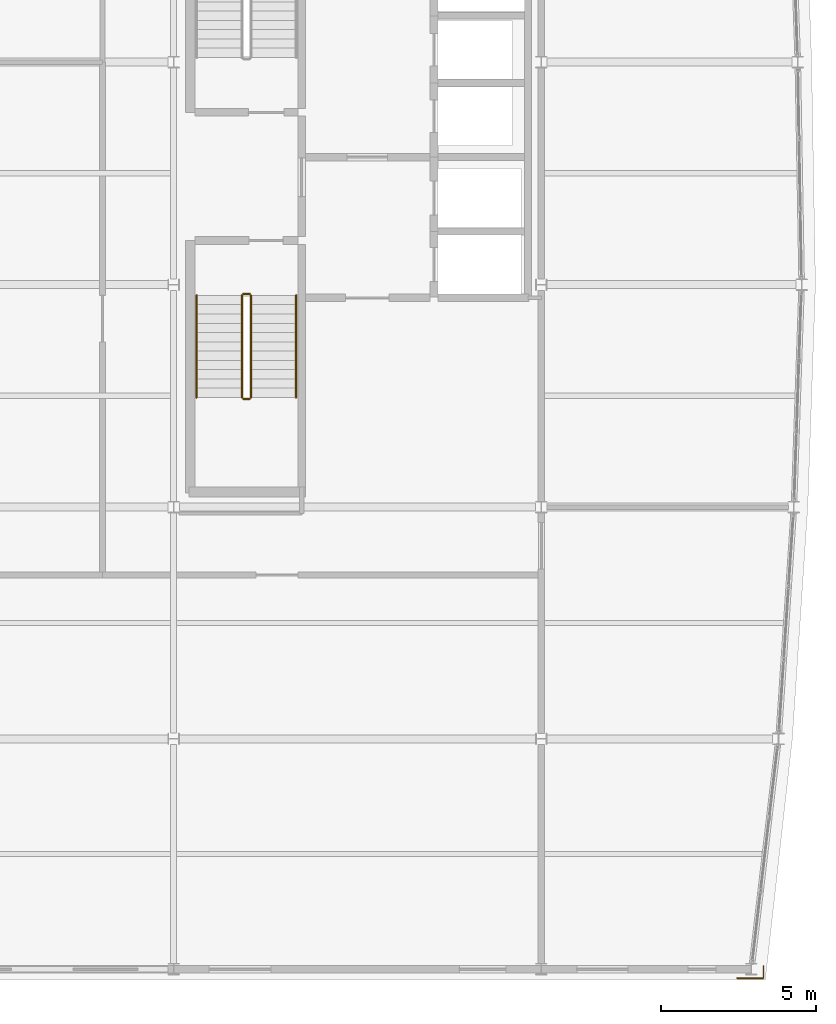
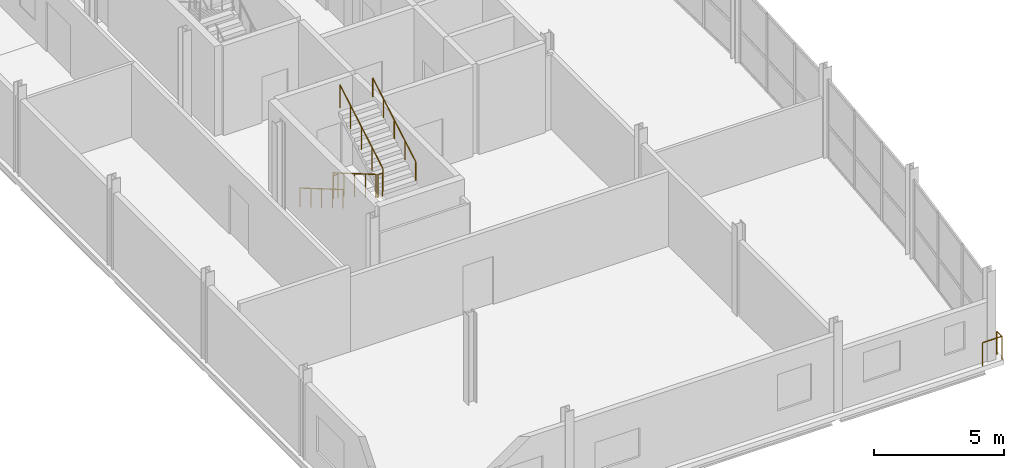
# One storey, part 18 of 20: 7 railings.
"""IFC4 building model written with IfcOpenShell, lengths in metres."""

from ifc_helpers import new_model, si_unit, direction, frame, origin, origin_2d, place, context, subcontext, project, spatial, circle, extrude, material, type_object, element, save


model = new_model("IFC4")

# Units and contexts
model_context = context("Model", 3, precision=1e-05, world=origin(), true_north=direction((0.0, 1.0)))
body_context = subcontext(model_context, "Body", "Model", "MODEL_VIEW")
ifc_project = project(units=[si_unit("LENGTHUNIT", "METRE"), si_unit("AREAUNIT", "SQUARE_METRE"), si_unit("VOLUMEUNIT", "CUBIC_METRE"), si_unit("PLANEANGLEUNIT", "RADIAN"), si_unit("MASSUNIT", "GRAM", prefix="KILO")], contexts=[model_context])

# Site, building, storey
site_placement = place(None, origin())
site = spatial("IfcSite", under=ifc_project, at=site_placement, CompositionType="ELEMENT")
building_placement = place(site_placement, origin())
building = spatial("IfcBuilding", under=site, at=building_placement, Name="Quillay Park Conservatory", CompositionType="ELEMENT")
storey_placement = place(building_placement, frame((0.0, 0.0, 30.89990234375)))
storey = spatial("IfcBuildingStorey", under=building, at=storey_placement, Name="L07", CompositionType="ELEMENT", Elevation=30.89990234375)

# Railings
ifc_material_1 = material(Name="Steel S355J2H", Category="steel")
railing_type_1 = type_object("IfcRailingType", Name="STAIR WALL HANDRAIL 900", PredefinedType="HANDRAIL", material=ifc_material_1)
railing_1_placement = place(storey_placement, frame((8.60009765625, 84.85009765625, 0.175048828125)))
element("IfcRailing", 1, at=railing_1_placement, inside=storey, type_object=railing_type_1, Name="L07 ST-T2 stair handrail 1", PredefinedType="HANDRAIL", context=body_context, shape_type="SweptSolid", body=[
    extrude(circle(Radius=0.02392578125, at=origin_2d()), frame((0.0, 0.0, 0.8759765625), z_axis=(0.0, -0.863776583165, 0.503874998761), x_axis=(1.0, 0.0, 0.0)), (0.0, 0.0, 1.0), 3.820556640625),
    extrude(circle(Radius=0.02099609375, at=origin_2d()), origin(), (0.0, 0.0, 1.0), 0.851806640625),
    extrude(circle(Radius=0.02099609375, at=origin_2d()), frame((0.0, -0.824951171875, 0.481201171875)), (0.0, 0.0, 1.0), 0.851806640625),
    extrude(circle(Radius=0.02099609375, at=origin_2d()), frame((0.0, -1.64990234375, 0.96240234375)), (0.0, 0.0, 1.0), 0.851806640625),
    extrude(circle(Radius=0.02099609375, at=origin_2d()), frame((0.0, -2.47509765625, 1.44384765625)), (0.0, 0.0, 1.0), 0.851806640625),
    extrude(circle(Radius=0.02099609375, at=origin_2d()), frame((0.0, -3.300048828125, 1.925048828125)), (0.0, 0.0, 1.0), 0.851806640625),
])
railing_2_placement = place(storey_placement, frame((11.820068359375, 81.550048828125, 2.275146484375)))
element("IfcRailing", 2, at=railing_2_placement, inside=storey, type_object=railing_type_1, Name="L07 ST-T2 stair handrail 2", PredefinedType="HANDRAIL", context=body_context, shape_type="SweptSolid", body=[
    extrude(circle(Radius=0.02392578125, at=origin_2d()), frame((0.0, 0.0, 0.8759765625), z_axis=(0.0, 0.863776583165, 0.503874998761), x_axis=(-1.0, 0.0, 0.0)), (0.0, 0.0, 1.0), 3.820556640625),
    extrude(circle(Radius=0.02099609375, at=origin_2d()), origin(), (0.0, 0.0, 1.0), 0.851806640625),
    extrude(circle(Radius=0.02099609375, at=origin_2d()), frame((0.0, 0.824951171875, 0.481201171875)), (0.0, 0.0, 1.0), 0.851806640625),
    extrude(circle(Radius=0.02099609375, at=origin_2d()), frame((0.0, 1.64990234375, 0.96240234375)), (0.0, 0.0, 1.0), 0.851806640625),
    extrude(circle(Radius=0.02099609375, at=origin_2d()), frame((0.0, 2.47509765625, 1.44384765625)), (0.0, 0.0, 1.0), 0.851806640625),
    extrude(circle(Radius=0.02099609375, at=origin_2d()), frame((0.0, 3.300048828125, 1.925048828125)), (0.0, 0.0, 1.0), 0.851806640625),
])
ifc_material_2 = material(Name="Steel S355J2H", Category="steel")
railing_type_2 = type_object("IfcRailingType", Name="STAIR WELL GUARDRAIL 1100", PredefinedType="GUARDRAIL", material=ifc_material_2)
railing_3_placement = place(storey_placement, frame((10.06005859375, 84.85009765625, 0.175048828125)))
element("IfcRailing", 3, at=railing_3_placement, inside=storey, type_object=railing_type_2, Name="L07 ST-T2 stair guard 1", PredefinedType="GUARDRAIL", context=body_context, shape_type="SweptSolid", body=[
    extrude(circle(Radius=0.02392578125, at=origin_2d()), frame((0.0, 0.0, 1.076171875), z_axis=(0.0, -0.863776583165, 0.503874998761), x_axis=(1.0, 0.0, 0.0)), (0.0, 0.0, 1.0), 3.820556640625),
    extrude(circle(Radius=0.02099609375, at=origin_2d()), origin(), (0.0, 0.0, 1.0), 1.052001953125),
    extrude(circle(Radius=0.02099609375, at=origin_2d()), frame((0.0, -0.824951171875, 0.481201171875)), (0.0, 0.0, 1.0), 1.052001953125),
    extrude(circle(Radius=0.02099609375, at=origin_2d()), frame((0.0, -1.64990234375, 0.96240234375)), (0.0, 0.0, 1.0), 1.052001953125),
    extrude(circle(Radius=0.02099609375, at=origin_2d()), frame((0.0, -2.47509765625, 1.44384765625)), (0.0, 0.0, 1.0), 1.052001953125),
    extrude(circle(Radius=0.02099609375, at=origin_2d()), frame((0.0, -3.300048828125, 1.925048828125)), (0.0, 0.0, 1.0), 1.052001953125),
])
railing_4_placement = place(storey_placement, frame((10.110107421875, 81.5, 2.10009765625)))
element("IfcRailing", 4, at=railing_4_placement, inside=storey, type_object=railing_type_2, Name="L07 ST-T2 stair guard 2", PredefinedType="GUARDRAIL", context=body_context, shape_type="SweptSolid", body=[
    extrude(circle(Radius=0.02392578125, at=origin_2d()), frame((0.0, 0.0, 1.076171875), z_axis=(1.0, 0.0, 0.0), x_axis=(0.0, 1.0, 0.0)), (0.0, 0.0, 1.0), 0.199951171875),
    extrude(circle(Radius=0.02099609375, at=origin_2d()), origin(), (0.0, 0.0, 1.0), 1.052001953125),
    extrude(circle(Radius=0.02099609375, at=origin_2d()), frame((0.199951171875, 0.0, 0.0)), (0.0, 0.0, 1.0), 1.052001953125),
])
railing_5_placement = place(storey_placement, frame((10.360107421875, 81.550048828125, 2.275146484375)))
element("IfcRailing", 5, at=railing_5_placement, inside=storey, type_object=railing_type_2, Name="L07 ST-T2 stair guard 3", PredefinedType="GUARDRAIL", context=body_context, shape_type="SweptSolid", body=[
    extrude(circle(Radius=0.02392578125, at=origin_2d()), frame((0.0, 0.0, 1.076171875), z_axis=(0.0, 0.863776583165, 0.503874998761), x_axis=(-1.0, 0.0, 0.0)), (0.0, 0.0, 1.0), 3.820556640625),
    extrude(circle(Radius=0.02099609375, at=origin_2d()), origin(), (0.0, 0.0, 1.0), 1.052001953125),
    extrude(circle(Radius=0.02099609375, at=origin_2d()), frame((0.0, 0.824951171875, 0.481201171875)), (0.0, 0.0, 1.0), 1.052001953125),
    extrude(circle(Radius=0.02099609375, at=origin_2d()), frame((0.0, 1.64990234375, 0.96240234375)), (0.0, 0.0, 1.0), 1.052001953125),
    extrude(circle(Radius=0.02099609375, at=origin_2d()), frame((0.0, 2.47509765625, 1.44384765625)), (0.0, 0.0, 1.0), 1.052001953125),
    extrude(circle(Radius=0.02099609375, at=origin_2d()), frame((0.0, 3.300048828125, 1.925048828125)), (0.0, 0.0, 1.0), 1.052001953125),
])
railing_6_placement = place(storey_placement, frame((10.110107421875, 84.89990234375, 0.0)))
element("IfcRailing", 6, at=railing_6_placement, inside=storey, type_object=railing_type_2, Name="L07 ST-T2 stair guard 4", PredefinedType="GUARDRAIL", context=body_context, shape_type="SweptSolid", body=[
    extrude(circle(Radius=0.02392578125, at=origin_2d()), frame((0.0, 0.0, 1.076171875), z_axis=(1.0, 0.0, 0.0), x_axis=(0.0, 1.0, 0.0)), (0.0, 0.0, 1.0), 0.199951171875),
    extrude(circle(Radius=0.02099609375, at=origin_2d()), origin(), (0.0, 0.0, 1.0), 1.052001953125),
    extrude(circle(Radius=0.02099609375, at=origin_2d()), frame((0.199951171875, 0.0, 0.0)), (0.0, 0.0, 1.0), 1.052001953125),
])
ifc_material_3 = material(Name="Steel S355J2H", Category="steel")
railing_type_3 = type_object("IfcRailingType", Name="TERRACE PERIMETER GUARDRAIL 1100", PredefinedType="GUARDRAIL", material=ifc_material_3)
railing_7_placement = place(storey_placement, frame((26.090087890625, 62.760009765625, 0.0)))
element("IfcRailing", 7, at=railing_7_placement, inside=storey, type_object=railing_type_3, Name="L07 Perimeter Safety Guardrail 033", PredefinedType="GUARDRAIL", context=body_context, shape_type="SweptSolid", body=[
    extrude(circle(Radius=0.02392578125, at=origin_2d()), frame((0.0, 0.0, 1.076171875), z_axis=(1.0, 0.0, 0.0), x_axis=(0.0, 1.0, 0.0)), (0.0, 0.0, 1.0), 0.849853515625),
    extrude(circle(Radius=0.02392578125, at=origin_2d()), frame((0.849853515625, 0.0, 1.076171875), z_axis=(0.0, 1.0, 0.0), x_axis=(-1.0, 0.0, 0.0)), (0.0, 0.0, 1.0), 0.389892578125),
    extrude(circle(Radius=0.02099609375, at=origin_2d()), origin(), (0.0, 0.0, 1.0), 1.052001953125),
    extrude(circle(Radius=0.02099609375, at=origin_2d()), frame((0.849853515625, 0.0, 0.0)), (0.0, 0.0, 1.0), 1.052001953125),
    extrude(circle(Radius=0.02099609375, at=origin_2d()), frame((0.849853515625, 0.389892578125, 0.0)), (0.0, 0.0, 1.0), 1.052001953125),
])

save(model, "model.ifc")
